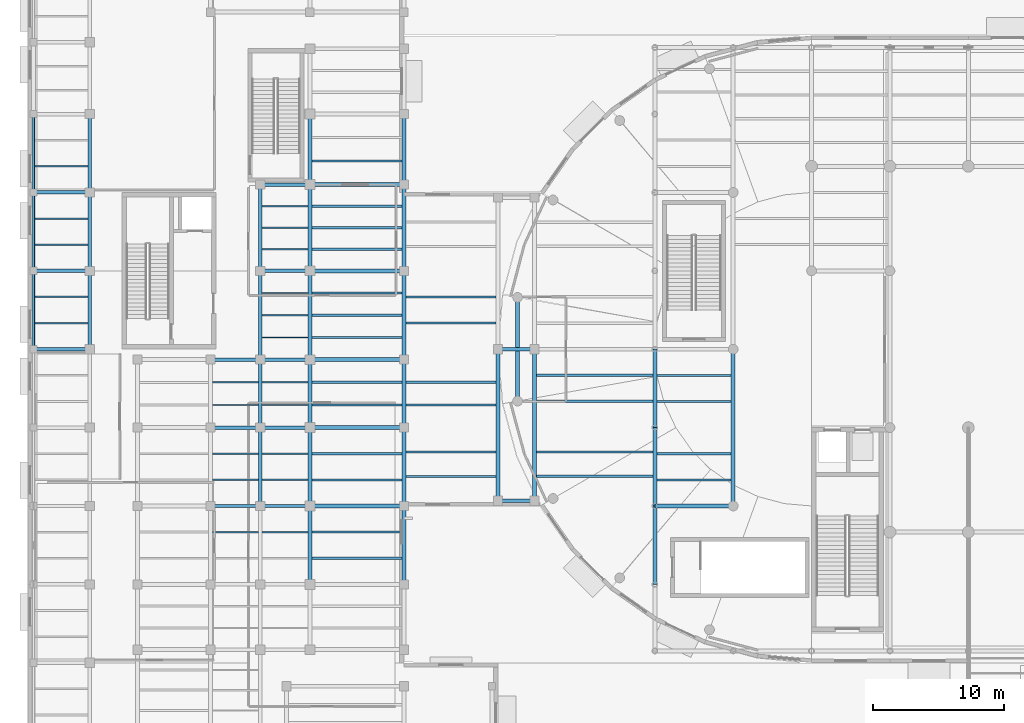
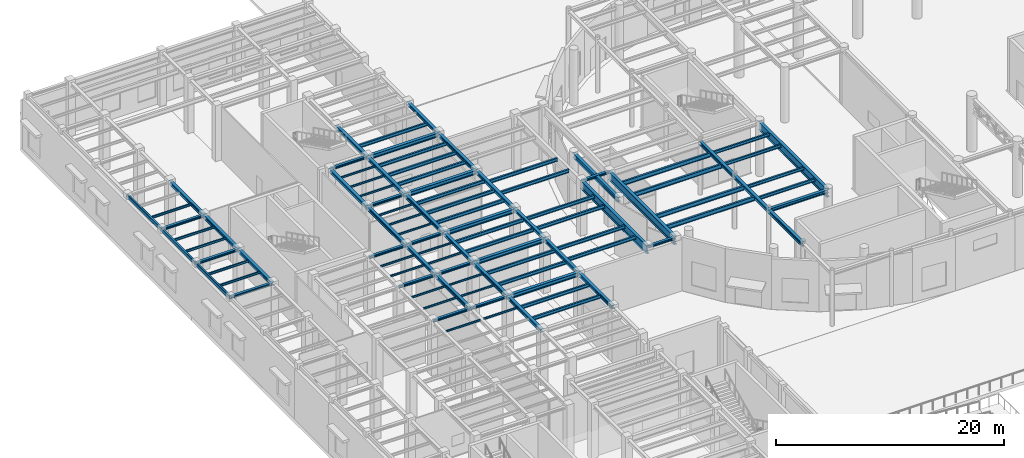
# One storey, part 20 of 118: 96 beams.
"""IFC4 building model written with IfcOpenShell, lengths in metres."""

from ifc_helpers import new_model, si_unit, direction, frame, origin, origin_2d, place, context, subcontext, project, spatial, hollow_rectangle, i_section, extrude, material, material_profile, profile_set, type_object, element, save


model = new_model("IFC4")

# Units and contexts
model_context = context("Model", 3, precision=1e-05, world=origin(), true_north=direction((0.0, 1.0)))
body_context = subcontext(model_context, "Body", "Model", "MODEL_VIEW")
ifc_project = project(units=[si_unit("LENGTHUNIT", "METRE"), si_unit("AREAUNIT", "SQUARE_METRE"), si_unit("VOLUMEUNIT", "CUBIC_METRE"), si_unit("PLANEANGLEUNIT", "RADIAN"), si_unit("MASSUNIT", "GRAM", prefix="KILO")], contexts=[model_context])

# Site, building, storey
site_placement = place(None, origin())
site = spatial("IfcSite", under=ifc_project, at=site_placement, CompositionType="ELEMENT")
building_placement = place(site_placement, origin())
building = spatial("IfcBuilding", under=site, at=building_placement, Name="Kolvaren Corner Interchange", CompositionType="ELEMENT")
storey_placement = place(building_placement, origin())
storey = spatial("IfcBuildingStorey", under=building, at=storey_placement, Name="L01", CompositionType="ELEMENT", Elevation=0.0)

# Beams
ifc_material_1 = material(Name="Steel S355", Category="steel")
ifc_material_profile_1 = material_profile(ifc_material_1, i_section(OverallWidth=0.260009765625, OverallDepth=0.25, WebThickness=0.007568359375, FlangeThickness=0.012451171875, FilletRadius=0.02392578125, at=origin_2d()), Name="HEA 260")
ifc_profile_set_1 = profile_set([ifc_material_profile_1], Name="Steel S355")
beam_type_1 = type_object("IfcBeamType", Name="BM-HEA260", PredefinedType="BEAM", material=ifc_profile_set_1)
for number, where, z_axis, x_axis, name in (
    (1, (14.0, 36.0, 5.625), (1.0, 0.0, 0.0), (0.0, 1.0, 0.0), "Storey L01 Grid X Primary Girder 0243"),
    (2, (17.800048828125, 36.0, 5.625), (1.0, 0.0, 0.0), (0.0, 1.0, 0.0), "Storey L01 Grid X Primary Girder 0244"),
):
    element("IfcBeam", number, at=place(storey_placement, frame(where, z_axis=z_axis, x_axis=x_axis)), inside=storey, type_object=beam_type_1, Name=name, PredefinedType="BEAM", context=body_context, shape_type="SweptSolid", body=[
        extrude(i_section(OverallWidth=0.260009765625, OverallDepth=0.25, WebThickness=0.007568359375, FlangeThickness=0.012451171875, FilletRadius=0.02392578125, at=origin_2d()), origin(), (0.0, 0.0, 1.0), 3.800048828125),
    ])
beam_1_placement = place(storey_placement, frame((36.0, 36.39990234375, 5.625), z_axis=(1.0, 0.0, 0.0), x_axis=(0.0, 1.0, 0.0)))
element("IfcBeam", 3, at=beam_1_placement, inside=storey, type_object=beam_type_1, Name="Storey L01 Grid X Primary Girder 0248", PredefinedType="BEAM", context=body_context, shape_type="SweptSolid", body=[
    extrude(i_section(OverallWidth=0.260009765625, OverallDepth=0.25, WebThickness=0.007568359375, FlangeThickness=0.012451171875, FilletRadius=0.02392578125, at=origin_2d()), origin(), (0.0, 0.0, 1.0), 2.800048828125),
])
for number, where, z_axis, x_axis, name in (
    (4, (14.0, 42.0, 5.625), (1.0, 0.0, 0.0), (0.0, 1.0, 0.0), "Storey L01 Grid X Primary Girder 0250"),
    (5, (17.800048828125, 42.0, 5.625), (1.0, 0.0, 0.0), (0.0, 1.0, 0.0), "Storey L01 Grid X Primary Girder 0251"),
    (6, (14.0, 47.199951171875, 5.625), (1.0, 0.0, 0.0), (0.0, 1.0, 0.0), "Storey L01 Grid X Primary Girder 0255"),
    (7, (17.800048828125, 47.199951171875, 5.625), (1.0, 0.0, 0.0), (0.0, 1.0, 0.0), "Storey L01 Grid X Primary Girder 0256"),
):
    element("IfcBeam", number, at=place(storey_placement, frame(where, z_axis=z_axis, x_axis=x_axis)), inside=storey, type_object=beam_type_1, Name=name, PredefinedType="BEAM", context=body_context, shape_type="SweptSolid", body=[
        extrude(i_section(OverallWidth=0.260009765625, OverallDepth=0.25, WebThickness=0.007568359375, FlangeThickness=0.012451171875, FilletRadius=0.02392578125, at=origin_2d()), origin(), (0.0, 0.0, 1.0), 3.800048828125),
    ])
beam_2_placement = place(storey_placement, frame((36.0, 48.0, 5.625), z_axis=(1.0, 0.0, 0.0), x_axis=(0.0, 1.0, 0.0)))
element("IfcBeam", 8, at=beam_2_placement, inside=storey, type_object=beam_type_1, Name="Storey L01 Grid X Primary Girder 0258", PredefinedType="BEAM", context=body_context, shape_type="SweptSolid", body=[
    extrude(i_section(OverallWidth=0.260009765625, OverallDepth=0.25, WebThickness=0.007568359375, FlangeThickness=0.012451171875, FilletRadius=0.02392578125, at=origin_2d()), origin(), (0.0, 0.0, 1.0), 2.800048828125),
])
for number, where, z_axis, x_axis, name in (
    (9, (17.800048828125, 54.0, 5.625), (1.0, 0.0, 0.0), (0.0, 1.0, 0.0), "Storey L01 Grid X Primary Girder 0262"),
    (10, (17.800048828125, 60.60009765625, 5.625), (1.0, 0.0, 0.0), (0.0, 1.0, 0.0), "Storey L01 Grid X Primary Girder 0268"),
):
    element("IfcBeam", number, at=place(storey_placement, frame(where, z_axis=z_axis, x_axis=x_axis)), inside=storey, type_object=beam_type_1, Name=name, PredefinedType="BEAM", context=body_context, shape_type="SweptSolid", body=[
        extrude(i_section(OverallWidth=0.260009765625, OverallDepth=0.25, WebThickness=0.007568359375, FlangeThickness=0.012451171875, FilletRadius=0.02392578125, at=origin_2d()), origin(), (0.0, 0.0, 1.0), 3.800048828125),
    ])
for number, where, z_axis, x_axis, name in (
    (11, (0.449951171875, 48.0, 5.625), (1.0, 0.0, 0.0), (0.0, 1.0, 0.0), "Storey L01 Grid X Primary Girder 0399"),
    (12, (0.449951171875, 54.0, 5.625), (1.0, 0.0, 0.0), (0.0, 1.0, 0.0), "Storey L01 Grid X Primary Girder 0400"),
    (13, (0.449951171875, 60.0, 5.625), (1.0, 0.0, 0.0), (0.0, 1.0, 0.0), "Storey L01 Grid X Primary Girder 0401"),
):
    element("IfcBeam", number, at=place(storey_placement, frame(where, z_axis=z_axis, x_axis=x_axis)), inside=storey, type_object=beam_type_1, Name=name, PredefinedType="BEAM", context=body_context, shape_type="SweptSolid", body=[
        extrude(i_section(OverallWidth=0.260009765625, OverallDepth=0.25, WebThickness=0.007568359375, FlangeThickness=0.012451171875, FilletRadius=0.02392578125, at=origin_2d()), origin(), (0.0, 0.0, 1.0), 4.300048828125),
    ])
ifc_material_2 = material(Name="Steel S355", Category="steel")
ifc_material_profile_2 = material_profile(ifc_material_2, i_section(OverallWidth=0.300048828125, OverallDepth=0.31005859375, WebThickness=0.009033203125, FlangeThickness=0.015380859375, FilletRadius=0.027099609375, at=origin_2d()), Name="HEA 320")
ifc_profile_set_2 = profile_set([ifc_material_profile_2], Name="Steel S355")
beam_type_2 = type_object("IfcBeamType", Name="BM-HEA320", PredefinedType="BEAM", material=ifc_profile_set_2)
for number, where, z_axis, x_axis, name in (
    (14, (17.800048828125, 42.0, 5.594970703125), (0.0, 1.0, 0.0), (-1.0, 0.0, 0.0), "Storey L01 Grid Y Primary Girder 0309"),
    (15, (21.60009765625, 42.0, 5.594970703125), (0.0, 1.0, 0.0), (-1.0, 0.0, 0.0), "Storey L01 Grid Y Primary Girder 0315"),
):
    element("IfcBeam", number, at=place(storey_placement, frame(where, z_axis=z_axis, x_axis=x_axis)), inside=storey, type_object=beam_type_2, Name=name, PredefinedType="BEAM", context=body_context, shape_type="SweptSolid", body=[
        extrude(i_section(OverallWidth=0.300048828125, OverallDepth=0.31005859375, WebThickness=0.009033203125, FlangeThickness=0.015380859375, FilletRadius=0.027099609375, at=origin_2d()), origin(), (0.0, 0.0, 1.0), 5.199951171875),
    ])
beam_3_placement = place(storey_placement, frame((21.60009765625, 60.60009765625, 5.594970703125), z_axis=(0.0, 1.0, 0.0), x_axis=(-1.0, 0.0, 0.0)))
element("IfcBeam", 16, at=beam_3_placement, inside=storey, type_object=beam_type_2, Name="Storey L01 Grid Y Primary Girder 0318", PredefinedType="BEAM", context=body_context, shape_type="SweptSolid", body=[
    extrude(i_section(OverallWidth=0.300048828125, OverallDepth=0.31005859375, WebThickness=0.009033203125, FlangeThickness=0.015380859375, FilletRadius=0.027099609375, at=origin_2d()), origin(), (0.0, 0.0, 1.0), 5.39990234375),
])
beam_4_placement = place(storey_placement, frame((28.800048828125, 42.0, 5.594970703125), z_axis=(0.0, 1.0, 0.0), x_axis=(-1.0, 0.0, 0.0)))
element("IfcBeam", 17, at=beam_4_placement, inside=storey, type_object=beam_type_2, Name="Storey L01 Grid Y Primary Girder 0323", PredefinedType="BEAM", context=body_context, shape_type="SweptSolid", body=[
    extrude(i_section(OverallWidth=0.300048828125, OverallDepth=0.31005859375, WebThickness=0.009033203125, FlangeThickness=0.015380859375, FilletRadius=0.027099609375, at=origin_2d()), origin(), (0.0, 0.0, 1.0), 5.199951171875),
])
beam_5_placement = place(storey_placement, frame((28.800048828125, 60.60009765625, 5.594970703125), z_axis=(0.0, 1.0, 0.0), x_axis=(-1.0, 0.0, 0.0)))
element("IfcBeam", 18, at=beam_5_placement, inside=storey, type_object=beam_type_2, Name="Storey L01 Grid Y Primary Girder 0326", PredefinedType="BEAM", context=body_context, shape_type="SweptSolid", body=[
    extrude(i_section(OverallWidth=0.300048828125, OverallDepth=0.31005859375, WebThickness=0.009033203125, FlangeThickness=0.015380859375, FilletRadius=0.027099609375, at=origin_2d()), origin(), (0.0, 0.0, 1.0), 5.39990234375),
])
ifc_material_3 = material(Name="Steel S355", Category="steel")
ifc_material_profile_3 = material_profile(ifc_material_3, i_section(OverallWidth=0.300048828125, OverallDepth=0.35009765625, WebThickness=0.010009765625, FlangeThickness=0.017578125, FilletRadius=0.027099609375, at=origin_2d()), Name="HEA 360")
ifc_profile_set_3 = profile_set([ifc_material_profile_3], Name="Steel S355")
beam_type_3 = type_object("IfcBeamType", Name="BM-HEA360", PredefinedType="BEAM", material=ifc_profile_set_3)
beam_6_placement = place(storey_placement, frame((48.0, 36.0, 5.574951171875), z_axis=(1.0, 0.0, 0.0), x_axis=(0.0, 1.0, 0.0)))
element("IfcBeam", 19, at=beam_6_placement, inside=storey, type_object=beam_type_3, Name="Storey L01 Grid X Primary Girder 0246", PredefinedType="BEAM", context=body_context, shape_type="SweptSolid", body=[
    extrude(i_section(OverallWidth=0.300048828125, OverallDepth=0.35009765625, WebThickness=0.010009765625, FlangeThickness=0.017578125, FilletRadius=0.027099609375, at=origin_2d()), origin(), (0.0, 0.0, 1.0), 6.0),
])
ifc_material_4 = material(Name="Steel S355", Category="steel")
ifc_material_profile_4 = material_profile(ifc_material_4, i_section(OverallWidth=0.300048828125, OverallDepth=0.389892578125, WebThickness=0.010986328125, FlangeThickness=0.01904296875, FilletRadius=0.027099609375, at=origin_2d()), Name="HEA 400")
ifc_profile_set_4 = profile_set([ifc_material_profile_4], Name="Steel S355")
beam_type_4 = type_object("IfcBeamType", Name="BM-HEA400", PredefinedType="BEAM", material=ifc_profile_set_4)
beam_7_placement = place(storey_placement, frame((17.800048828125, 36.0, 5.554931640625), z_axis=(0.0, 1.0, 0.0), x_axis=(-1.0, 0.0, 0.0)))
element("IfcBeam", 20, at=beam_7_placement, inside=storey, type_object=beam_type_4, Name="Storey L01 Grid Y Primary Girder 0308", PredefinedType="BEAM", context=body_context, shape_type="SweptSolid", body=[
    extrude(i_section(OverallWidth=0.300048828125, OverallDepth=0.389892578125, WebThickness=0.010986328125, FlangeThickness=0.01904296875, FilletRadius=0.027099609375, at=origin_2d()), origin(), (0.0, 0.0, 1.0), 6.0),
])
beam_8_placement = place(storey_placement, frame((17.800048828125, 47.199951171875, 5.554931640625), z_axis=(0.0, 1.0, 0.0), x_axis=(-1.0, 0.0, 0.0)))
element("IfcBeam", 21, at=beam_8_placement, inside=storey, type_object=beam_type_4, Name="Storey L01 Grid Y Primary Girder 0310", PredefinedType="BEAM", context=body_context, shape_type="SweptSolid", body=[
    extrude(i_section(OverallWidth=0.300048828125, OverallDepth=0.389892578125, WebThickness=0.010986328125, FlangeThickness=0.01904296875, FilletRadius=0.027099609375, at=origin_2d()), origin(), (0.0, 0.0, 1.0), 6.800048828125),
])
beam_9_placement = place(storey_placement, frame((17.800048828125, 54.0, 5.554931640625), z_axis=(0.0, 1.0, 0.0), x_axis=(-1.0, 0.0, 0.0)))
element("IfcBeam", 22, at=beam_9_placement, inside=storey, type_object=beam_type_4, Name="Storey L01 Grid Y Primary Girder 0311", PredefinedType="BEAM", context=body_context, shape_type="SweptSolid", body=[
    extrude(i_section(OverallWidth=0.300048828125, OverallDepth=0.389892578125, WebThickness=0.010986328125, FlangeThickness=0.01904296875, FilletRadius=0.027099609375, at=origin_2d()), origin(), (0.0, 0.0, 1.0), 6.60009765625),
])
for number, where, z_axis, x_axis, name in (
    (23, (21.60009765625, 30.0, 5.554931640625), (0.0, 1.0, 0.0), (-1.0, 0.0, 0.0), "Storey L01 Grid Y Primary Girder 0313"),
    (24, (21.60009765625, 36.0, 5.554931640625), (0.0, 1.0, 0.0), (-1.0, 0.0, 0.0), "Storey L01 Grid Y Primary Girder 0314"),
):
    element("IfcBeam", number, at=place(storey_placement, frame(where, z_axis=z_axis, x_axis=x_axis)), inside=storey, type_object=beam_type_4, Name=name, PredefinedType="BEAM", context=body_context, shape_type="SweptSolid", body=[
        extrude(i_section(OverallWidth=0.300048828125, OverallDepth=0.389892578125, WebThickness=0.010986328125, FlangeThickness=0.01904296875, FilletRadius=0.027099609375, at=origin_2d()), origin(), (0.0, 0.0, 1.0), 6.0),
    ])
beam_10_placement = place(storey_placement, frame((21.60009765625, 47.199951171875, 5.554931640625), z_axis=(0.0, 1.0, 0.0), x_axis=(-1.0, 0.0, 0.0)))
element("IfcBeam", 25, at=beam_10_placement, inside=storey, type_object=beam_type_4, Name="Storey L01 Grid Y Primary Girder 0316", PredefinedType="BEAM", context=body_context, shape_type="SweptSolid", body=[
    extrude(i_section(OverallWidth=0.300048828125, OverallDepth=0.389892578125, WebThickness=0.010986328125, FlangeThickness=0.01904296875, FilletRadius=0.027099609375, at=origin_2d()), origin(), (0.0, 0.0, 1.0), 6.800048828125),
])
beam_11_placement = place(storey_placement, frame((21.60009765625, 54.0, 5.554931640625), z_axis=(0.0, 1.0, 0.0), x_axis=(-1.0, 0.0, 0.0)))
element("IfcBeam", 26, at=beam_11_placement, inside=storey, type_object=beam_type_4, Name="Storey L01 Grid Y Primary Girder 0317", PredefinedType="BEAM", context=body_context, shape_type="SweptSolid", body=[
    extrude(i_section(OverallWidth=0.300048828125, OverallDepth=0.389892578125, WebThickness=0.010986328125, FlangeThickness=0.01904296875, FilletRadius=0.027099609375, at=origin_2d()), origin(), (0.0, 0.0, 1.0), 6.60009765625),
])
for number, where, z_axis, x_axis, name in (
    (27, (28.800048828125, 30.0, 5.554931640625), (0.0, 1.0, 0.0), (-1.0, 0.0, 0.0), "Storey L01 Grid Y Primary Girder 0321"),
    (28, (28.800048828125, 36.0, 5.554931640625), (0.0, 1.0, 0.0), (-1.0, 0.0, 0.0), "Storey L01 Grid Y Primary Girder 0322"),
):
    element("IfcBeam", number, at=place(storey_placement, frame(where, z_axis=z_axis, x_axis=x_axis)), inside=storey, type_object=beam_type_4, Name=name, PredefinedType="BEAM", context=body_context, shape_type="SweptSolid", body=[
        extrude(i_section(OverallWidth=0.300048828125, OverallDepth=0.389892578125, WebThickness=0.010986328125, FlangeThickness=0.01904296875, FilletRadius=0.027099609375, at=origin_2d()), origin(), (0.0, 0.0, 1.0), 6.0),
    ])
beam_12_placement = place(storey_placement, frame((28.800048828125, 47.199951171875, 5.554931640625), z_axis=(0.0, 1.0, 0.0), x_axis=(-1.0, 0.0, 0.0)))
element("IfcBeam", 29, at=beam_12_placement, inside=storey, type_object=beam_type_4, Name="Storey L01 Grid Y Primary Girder 0324", PredefinedType="BEAM", context=body_context, shape_type="SweptSolid", body=[
    extrude(i_section(OverallWidth=0.300048828125, OverallDepth=0.389892578125, WebThickness=0.010986328125, FlangeThickness=0.01904296875, FilletRadius=0.027099609375, at=origin_2d()), origin(), (0.0, 0.0, 1.0), 6.800048828125),
])
beam_13_placement = place(storey_placement, frame((28.800048828125, 54.0, 5.554931640625), z_axis=(0.0, 1.0, 0.0), x_axis=(-1.0, 0.0, 0.0)))
element("IfcBeam", 30, at=beam_13_placement, inside=storey, type_object=beam_type_4, Name="Storey L01 Grid Y Primary Girder 0325", PredefinedType="BEAM", context=body_context, shape_type="SweptSolid", body=[
    extrude(i_section(OverallWidth=0.300048828125, OverallDepth=0.389892578125, WebThickness=0.010986328125, FlangeThickness=0.01904296875, FilletRadius=0.027099609375, at=origin_2d()), origin(), (0.0, 0.0, 1.0), 6.60009765625),
])
for number, where, z_axis, x_axis, name in (
    (31, (48.0, 30.0, 5.554931640625), (0.0, 1.0, 0.0), (-1.0, 0.0, 0.0), "Storey L01 Grid Y Primary Girder 0334"),
    (32, (48.0, 36.0, 5.554931640625), (0.0, 1.0, 0.0), (-1.0, 0.0, 0.0), "Storey L01 Grid Y Primary Girder 0335"),
    (33, (48.0, 42.0, 5.554931640625), (0.0, 1.0, 0.0), (-1.0, 0.0, 0.0), "Storey L01 Grid Y Primary Girder 0336"),
    (34, (4.75, 48.0, 5.554931640625), (0.0, 1.0, 0.0), (-1.0, 0.0, 0.0), "Storey L01 Grid Y Primary Girder 0470"),
    (35, (4.75, 54.0, 5.554931640625), (0.0, 1.0, 0.0), (-1.0, 0.0, 0.0), "Storey L01 Grid Y Primary Girder 0471"),
    (36, (4.75, 60.0, 5.554931640625), (0.0, 1.0, 0.0), (-1.0, 0.0, 0.0), "Storey L01 Grid Y Primary Girder 0472"),
):
    element("IfcBeam", number, at=place(storey_placement, frame(where, z_axis=z_axis, x_axis=x_axis)), inside=storey, type_object=beam_type_4, Name=name, PredefinedType="BEAM", context=body_context, shape_type="SweptSolid", body=[
        extrude(i_section(OverallWidth=0.300048828125, OverallDepth=0.389892578125, WebThickness=0.010986328125, FlangeThickness=0.01904296875, FilletRadius=0.027099609375, at=origin_2d()), origin(), (0.0, 0.0, 1.0), 6.0),
    ])
ifc_material_5 = material(Name="Steel S355", Category="steel")
ifc_material_profile_5 = material_profile(ifc_material_5, i_section(OverallWidth=0.300048828125, OverallDepth=0.43994140625, WebThickness=0.011474609375, FlangeThickness=0.02099609375, FilletRadius=0.027099609375, at=origin_2d()), Name="HEA 450")
ifc_profile_set_5 = profile_set([ifc_material_profile_5], Name="Steel S355")
beam_type_5 = type_object("IfcBeamType", Name="BM-HEA450", PredefinedType="BEAM", material=ifc_profile_set_5)
for number, where, z_axis, x_axis, name in (
    (37, (21.60009765625, 36.0, 5.530029296875), (1.0, 0.0, 0.0), (0.0, 1.0, 0.0), "Storey L01 Grid X Primary Girder 0245"),
    (38, (21.60009765625, 42.0, 5.530029296875), (1.0, 0.0, 0.0), (0.0, 1.0, 0.0), "Storey L01 Grid X Primary Girder 0252"),
    (39, (21.60009765625, 47.199951171875, 5.530029296875), (1.0, 0.0, 0.0), (0.0, 1.0, 0.0), "Storey L01 Grid X Primary Girder 0257"),
    (40, (21.60009765625, 54.0, 5.530029296875), (1.0, 0.0, 0.0), (0.0, 1.0, 0.0), "Storey L01 Grid X Primary Girder 0263"),
    (41, (21.60009765625, 60.60009765625, 5.530029296875), (1.0, 0.0, 0.0), (0.0, 1.0, 0.0), "Storey L01 Grid X Primary Girder 0269"),
):
    element("IfcBeam", number, at=place(storey_placement, frame(where, z_axis=z_axis, x_axis=x_axis)), inside=storey, type_object=beam_type_5, Name=name, PredefinedType="BEAM", context=body_context, shape_type="SweptSolid", body=[
        extrude(i_section(OverallWidth=0.300048828125, OverallDepth=0.43994140625, WebThickness=0.011474609375, FlangeThickness=0.02099609375, FilletRadius=0.027099609375, at=origin_2d()), origin(), (0.0, 0.0, 1.0), 7.199951171875),
    ])
ifc_material_6 = material(Name="Steel S355", Category="steel")
ifc_material_profile_6 = material_profile(ifc_material_6, i_section(OverallWidth=0.300048828125, OverallDepth=0.489990234375, WebThickness=0.011962890625, FlangeThickness=0.02294921875, FilletRadius=0.027099609375, at=origin_2d()), Name="HEA 500")
ifc_profile_set_6 = profile_set([ifc_material_profile_6], Name="Steel S355")
beam_type_6 = type_object("IfcBeamType", Name="BM-HEA500", PredefinedType="BEAM", material=ifc_profile_set_6)
beam_14_placement = place(storey_placement, frame((37.4970703125, 44.031982421875, 5.5048828125), z_axis=(0.0, 1.0, 0.0), x_axis=(-1.0, 0.0, 0.0)))
element("IfcBeam", 42, at=beam_14_placement, inside=storey, type_object=beam_type_6, Name="Storey L01 Grid Y Primary Girder 0330", PredefinedType="BEAM", context=body_context, shape_type="SweptSolid", body=[
    extrude(i_section(OverallWidth=0.300048828125, OverallDepth=0.489990234375, WebThickness=0.011962890625, FlangeThickness=0.02294921875, FilletRadius=0.027099609375, at=origin_2d()), origin(), (0.0, 0.0, 1.0), 7.93603515625),
])
ifc_material_7 = material(Name="Steel S355", Category="steel")
ifc_material_profile_7 = material_profile(ifc_material_7, i_section(OverallWidth=0.300048828125, OverallDepth=0.89990234375, WebThickness=0.0185546875, FlangeThickness=0.034912109375, FilletRadius=0.030029296875, at=origin_2d()), Name="HEB 900")
ifc_profile_set_7 = profile_set([ifc_material_profile_7], Name="Steel S355")
beam_type_7 = type_object("IfcBeamType", Name="BM-HEB900", PredefinedType="BEAM", material=ifc_profile_set_7)
for number, where, z_axis, x_axis, name in (
    (43, (36.0, 36.39990234375, 5.300048828125), (0.0, 1.0, 0.0), (-1.0, 0.0, 0.0), "Storey L01 Grid Y Primary Girder 0328"),
    (44, (38.800048828125, 36.39990234375, 5.300048828125), (0.0, 1.0, 0.0), (-1.0, 0.0, 0.0), "Storey L01 Grid Y Primary Girder 0331"),
):
    element("IfcBeam", number, at=place(storey_placement, frame(where, z_axis=z_axis, x_axis=x_axis)), inside=storey, type_object=beam_type_7, Name=name, PredefinedType="BEAM", context=body_context, shape_type="SweptSolid", body=[
        extrude(i_section(OverallWidth=0.300048828125, OverallDepth=0.89990234375, WebThickness=0.0185546875, FlangeThickness=0.034912109375, FilletRadius=0.030029296875, at=origin_2d()), origin(), (0.0, 0.0, 1.0), 11.60009765625),
    ])
beam_15_placement = place(storey_placement, frame((54.0, 36.0, 5.300048828125), z_axis=(0.0, 1.0, 0.0), x_axis=(-1.0, 0.0, 0.0)))
element("IfcBeam", 45, at=beam_15_placement, inside=storey, type_object=beam_type_7, Name="Storey L01 Grid Y Primary Girder 0341", PredefinedType="BEAM", context=body_context, shape_type="SweptSolid", body=[
    extrude(i_section(OverallWidth=0.300048828125, OverallDepth=0.89990234375, WebThickness=0.0185546875, FlangeThickness=0.034912109375, FilletRadius=0.030029296875, at=origin_2d()), origin(), (0.0, 0.0, 1.0), 12.0),
])
ifc_material_8 = material(Name="Steel S355", Category="steel")
ifc_material_profile_8 = material_profile(ifc_material_8, i_section(OverallWidth=0.10009765625, OverallDepth=0.199951171875, WebThickness=0.005615234375, FlangeThickness=0.008544921875, FilletRadius=0.011962890625, at=origin_2d()), Name="IPE 200")
ifc_profile_set_8 = profile_set([ifc_material_profile_8], Name="Steel S355")
beam_type_8 = type_object("IfcBeamType", Name="JS-IPE200", PredefinedType="JOIST", material=ifc_profile_set_8)
for number, where, z_axis, x_axis, name in (
    (46, (14.14990234375, 34.0, 5.64990234375), (1.0, 0.0, 0.0), (0.0, 1.0, 0.0), "Storey L01 Composite Floor Joist 0255"),
    (47, (14.14990234375, 38.0, 5.64990234375), (1.0, 0.0, 0.0), (0.0, 1.0, 0.0), "Storey L01 Composite Floor Joist 0256"),
    (48, (14.14990234375, 40.0, 5.64990234375), (1.0, 0.0, 0.0), (0.0, 1.0, 0.0), "Storey L01 Composite Floor Joist 0257"),
    (49, (14.14990234375, 43.7333984375, 5.64990234375), (1.0, 0.0, 0.0), (0.0, 1.0, 0.0), "Storey L01 Composite Floor Joist 0258"),
    (50, (14.14990234375, 45.466796875, 5.64990234375), (1.0, 0.0, 0.0), (0.0, 1.0, 0.0), "Storey L01 Composite Floor Joist 0259"),
    (51, (17.949951171875, 34.0, 5.64990234375), (1.0, 0.0, 0.0), (0.0, 1.0, 0.0), "Storey L01 Composite Floor Joist 0263"),
    (52, (17.949951171875, 38.0, 5.64990234375), (1.0, 0.0, 0.0), (0.0, 1.0, 0.0), "Storey L01 Composite Floor Joist 0264"),
    (53, (17.949951171875, 40.0, 5.64990234375), (1.0, 0.0, 0.0), (0.0, 1.0, 0.0), "Storey L01 Composite Floor Joist 0265"),
    (54, (17.949951171875, 43.7333984375, 5.64990234375), (1.0, 0.0, 0.0), (0.0, 1.0, 0.0), "Storey L01 Composite Floor Joist 0266"),
    (55, (17.949951171875, 45.466796875, 5.64990234375), (1.0, 0.0, 0.0), (0.0, 1.0, 0.0), "Storey L01 Composite Floor Joist 0267"),
    (56, (17.949951171875, 48.89990234375, 5.64990234375), (1.0, 0.0, 0.0), (0.0, 1.0, 0.0), "Storey L01 Composite Floor Joist 0268"),
    (57, (17.949951171875, 50.60009765625, 5.64990234375), (1.0, 0.0, 0.0), (0.0, 1.0, 0.0), "Storey L01 Composite Floor Joist 0269"),
    (58, (17.949951171875, 52.300048828125, 5.64990234375), (1.0, 0.0, 0.0), (0.0, 1.0, 0.0), "Storey L01 Composite Floor Joist 0270"),
    (59, (17.949951171875, 55.64990234375, 5.64990234375), (1.0, 0.0, 0.0), (0.0, 1.0, 0.0), "Storey L01 Composite Floor Joist 0271"),
    (60, (17.949951171875, 57.300048828125, 5.64990234375), (1.0, 0.0, 0.0), (0.0, 1.0, 0.0), "Storey L01 Composite Floor Joist 0272"),
    (61, (17.949951171875, 58.949951171875, 5.64990234375), (1.0, 0.0, 0.0), (0.0, 1.0, 0.0), "Storey L01 Composite Floor Joist 0273"),
):
    element("IfcBeam", number, at=place(storey_placement, frame(where, z_axis=z_axis, x_axis=x_axis)), inside=storey, type_object=beam_type_8, Name=name, PredefinedType="JOIST", context=body_context, shape_type="SweptSolid", body=[
        extrude(i_section(OverallWidth=0.10009765625, OverallDepth=0.199951171875, WebThickness=0.005615234375, FlangeThickness=0.008544921875, FilletRadius=0.011962890625, at=origin_2d()), origin(), (0.0, 0.0, 1.0), 3.5),
    ])
ifc_material_9 = material(Name="Steel S355", Category="steel")
ifc_material_profile_9 = material_profile(ifc_material_9, i_section(OverallWidth=0.1201171875, OverallDepth=0.239990234375, WebThickness=0.006103515625, FlangeThickness=0.009765625, FilletRadius=0.014892578125, at=origin_2d()), Name="IPE 240")
ifc_profile_set_9 = profile_set([ifc_material_profile_9], Name="Steel S355")
beam_type_9 = type_object("IfcBeamType", Name="JS-IPE240", PredefinedType="JOIST", material=ifc_profile_set_9)
for number, where, z_axis, x_axis, name in (
    (62, (0.550048828125, 50.0, 5.6298828125), (1.0, 0.0, 0.0), (0.0, 1.0, 0.0), "Storey L01 Composite Floor Joist 0404"),
    (63, (0.550048828125, 52.0, 5.6298828125), (1.0, 0.0, 0.0), (0.0, 1.0, 0.0), "Storey L01 Composite Floor Joist 0405"),
    (64, (0.550048828125, 56.0, 5.6298828125), (1.0, 0.0, 0.0), (0.0, 1.0, 0.0), "Storey L01 Composite Floor Joist 0406"),
    (65, (0.550048828125, 58.0, 5.6298828125), (1.0, 0.0, 0.0), (0.0, 1.0, 0.0), "Storey L01 Composite Floor Joist 0407"),
    (66, (0.550048828125, 62.0, 5.6298828125), (1.0, 0.0, 0.0), (0.0, 1.0, 0.0), "Storey L01 Composite Floor Joist 0408"),
):
    element("IfcBeam", number, at=place(storey_placement, frame(where, z_axis=z_axis, x_axis=x_axis)), inside=storey, type_object=beam_type_9, Name=name, PredefinedType="JOIST", context=body_context, shape_type="SweptSolid", body=[
        extrude(i_section(OverallWidth=0.1201171875, OverallDepth=0.239990234375, WebThickness=0.006103515625, FlangeThickness=0.009765625, FilletRadius=0.014892578125, at=origin_2d()), origin(), (0.0, 0.0, 1.0), 4.050048828125),
    ])
ifc_material_10 = material(Name="Steel S355", Category="steel")
ifc_material_profile_10 = material_profile(ifc_material_10, i_section(OverallWidth=0.159912109375, OverallDepth=0.330078125, WebThickness=0.007568359375, FlangeThickness=0.011474609375, FilletRadius=0.01806640625, at=origin_2d()), Name="IPE 330")
ifc_profile_set_10 = profile_set([ifc_material_profile_10], Name="Steel S355")
beam_type_10 = type_object("IfcBeamType", Name="JS-IPE330", PredefinedType="JOIST", material=ifc_profile_set_10)
for number, where, z_axis, x_axis, name in (
    (67, (48.14990234375, 38.0, 5.5849609375), (1.0, 0.0, 0.0), (0.0, 1.0, 0.0), "Storey L01 Composite Floor Joist 0308"),
    (68, (48.14990234375, 40.0, 5.5849609375), (1.0, 0.0, 0.0), (0.0, 1.0, 0.0), "Storey L01 Composite Floor Joist 0309"),
    (69, (48.14990234375, 44.0, 5.5849609375), (1.0, 0.0, 0.0), (0.0, 1.0, 0.0), "Storey L01 Composite Floor Joist 0310"),
    (70, (48.14990234375, 46.0, 5.5849609375), (1.0, 0.0, 0.0), (0.0, 1.0, 0.0), "Storey L01 Composite Floor Joist 0311"),
):
    element("IfcBeam", number, at=place(storey_placement, frame(where, z_axis=z_axis, x_axis=x_axis)), inside=storey, type_object=beam_type_10, Name=name, PredefinedType="JOIST", context=body_context, shape_type="SweptSolid", body=[
        extrude(i_section(OverallWidth=0.159912109375, OverallDepth=0.330078125, WebThickness=0.007568359375, FlangeThickness=0.011474609375, FilletRadius=0.01806640625, at=origin_2d()), origin(), (0.0, 0.0, 1.0), 5.7001953125),
    ])
ifc_material_11 = material(Name="Steel S355", Category="steel")
ifc_material_profile_11 = material_profile(ifc_material_11, i_section(OverallWidth=0.169921875, OverallDepth=0.360107421875, WebThickness=0.008056640625, FlangeThickness=0.0126953125, FilletRadius=0.01806640625, at=origin_2d()), Name="IPE 360")
ifc_profile_set_11 = profile_set([ifc_material_profile_11], Name="Steel S355")
beam_type_11 = type_object("IfcBeamType", Name="JS-IPE360", PredefinedType="JOIST", material=ifc_profile_set_11)
for number, where, z_axis, x_axis, name in (
    (71, (21.75, 32.0, 5.570068359375), (1.0, 0.0, 0.0), (0.0, 1.0, 0.0), "Storey L01 Composite Floor Joist 0276"),
    (72, (21.75, 34.0, 5.570068359375), (1.0, 0.0, 0.0), (0.0, 1.0, 0.0), "Storey L01 Composite Floor Joist 0277"),
    (73, (21.75, 38.0, 5.570068359375), (1.0, 0.0, 0.0), (0.0, 1.0, 0.0), "Storey L01 Composite Floor Joist 0278"),
    (74, (21.75, 40.0, 5.570068359375), (1.0, 0.0, 0.0), (0.0, 1.0, 0.0), "Storey L01 Composite Floor Joist 0279"),
    (75, (21.75, 43.7333984375, 5.570068359375), (1.0, 0.0, 0.0), (0.0, 1.0, 0.0), "Storey L01 Composite Floor Joist 0280"),
    (76, (21.75, 45.466796875, 5.570068359375), (1.0, 0.0, 0.0), (0.0, 1.0, 0.0), "Storey L01 Composite Floor Joist 0281"),
    (77, (21.75, 48.89990234375, 5.570068359375), (1.0, 0.0, 0.0), (0.0, 1.0, 0.0), "Storey L01 Composite Floor Joist 0282"),
    (78, (21.75, 50.60009765625, 5.570068359375), (1.0, 0.0, 0.0), (0.0, 1.0, 0.0), "Storey L01 Composite Floor Joist 0283"),
    (79, (21.75, 52.300048828125, 5.570068359375), (1.0, 0.0, 0.0), (0.0, 1.0, 0.0), "Storey L01 Composite Floor Joist 0284"),
    (80, (21.75, 55.64990234375, 5.570068359375), (1.0, 0.0, 0.0), (0.0, 1.0, 0.0), "Storey L01 Composite Floor Joist 0285"),
    (81, (21.75, 57.300048828125, 5.570068359375), (1.0, 0.0, 0.0), (0.0, 1.0, 0.0), "Storey L01 Composite Floor Joist 0286"),
    (82, (21.75, 58.949951171875, 5.570068359375), (1.0, 0.0, 0.0), (0.0, 1.0, 0.0), "Storey L01 Composite Floor Joist 0287"),
    (83, (21.75, 62.39990234375, 5.570068359375), (1.0, 0.0, 0.0), (0.0, 1.0, 0.0), "Storey L01 Composite Floor Joist 0288"),
):
    element("IfcBeam", number, at=place(storey_placement, frame(where, z_axis=z_axis, x_axis=x_axis)), inside=storey, type_object=beam_type_11, Name=name, PredefinedType="JOIST", context=body_context, shape_type="SweptSolid", body=[
        extrude(i_section(OverallWidth=0.169921875, OverallDepth=0.360107421875, WebThickness=0.008056640625, FlangeThickness=0.0126953125, FilletRadius=0.01806640625, at=origin_2d()), origin(), (0.0, 0.0, 1.0), 6.89990234375),
    ])
for number, where, z_axis, x_axis, name in (
    (84, (28.949951171875, 38.2666015625, 5.570068359375), (1.0, 0.0, 0.0), (0.0, 1.0, 0.0), "Storey L01 Composite Floor Joist 0292"),
    (85, (28.949951171875, 40.13330078125, 5.570068359375), (1.0, 0.0, 0.0), (0.0, 1.0, 0.0), "Storey L01 Composite Floor Joist 0293"),
    (86, (28.949951171875, 43.7333984375, 5.570068359375), (1.0, 0.0, 0.0), (0.0, 1.0, 0.0), "Storey L01 Composite Floor Joist 0294"),
    (87, (28.949951171875, 45.466796875, 5.570068359375), (1.0, 0.0, 0.0), (0.0, 1.0, 0.0), "Storey L01 Composite Floor Joist 0295"),
    (88, (28.949951171875, 50.0, 5.570068359375), (1.0, 0.0, 0.0), (0.0, 1.0, 0.0), "Storey L01 Composite Floor Joist 0296"),
    (89, (28.949951171875, 52.0, 5.570068359375), (1.0, 0.0, 0.0), (0.0, 1.0, 0.0), "Storey L01 Composite Floor Joist 0297"),
):
    element("IfcBeam", number, at=place(storey_placement, frame(where, z_axis=z_axis, x_axis=x_axis)), inside=storey, type_object=beam_type_11, Name=name, PredefinedType="JOIST", context=body_context, shape_type="SweptSolid", body=[
        extrude(i_section(OverallWidth=0.169921875, OverallDepth=0.360107421875, WebThickness=0.008056640625, FlangeThickness=0.0126953125, FilletRadius=0.01806640625, at=origin_2d()), origin(), (0.0, 0.0, 1.0), 6.900146484375),
    ])
ifc_material_12 = material(Name="Steel S355", Category="steel")
ifc_material_profile_12 = material_profile(ifc_material_12, i_section(OverallWidth=0.18994140625, OverallDepth=0.449951171875, WebThickness=0.009521484375, FlangeThickness=0.0146484375, FilletRadius=0.02099609375, at=origin_2d()), Name="IPE 450")
ifc_profile_set_12 = profile_set([ifc_material_profile_12], Name="Steel S355")
beam_type_12 = type_object("IfcBeamType", Name="JS-IPE450", PredefinedType="JOIST", material=ifc_profile_set_12)
for number, where, z_axis, x_axis, name in (
    (90, (38.949951171875, 38.2666015625, 5.52490234375), (1.0, 0.0, 0.0), (0.0, 1.0, 0.0), "Storey L01 Composite Floor Joist 0300"),
    (91, (38.949951171875, 40.13330078125, 5.52490234375), (1.0, 0.0, 0.0), (0.0, 1.0, 0.0), "Storey L01 Composite Floor Joist 0301"),
    (92, (38.949951171875, 44.0, 5.52490234375), (1.0, 0.0, 0.0), (0.0, 1.0, 0.0), "Storey L01 Composite Floor Joist 0302"),
    (93, (38.949951171875, 46.0, 5.52490234375), (1.0, 0.0, 0.0), (0.0, 1.0, 0.0), "Storey L01 Composite Floor Joist 0303"),
):
    element("IfcBeam", number, at=place(storey_placement, frame(where, z_axis=z_axis, x_axis=x_axis)), inside=storey, type_object=beam_type_12, Name=name, PredefinedType="JOIST", context=body_context, shape_type="SweptSolid", body=[
        extrude(i_section(OverallWidth=0.18994140625, OverallDepth=0.449951171875, WebThickness=0.009521484375, FlangeThickness=0.0146484375, FilletRadius=0.02099609375, at=origin_2d()), origin(), (0.0, 0.0, 1.0), 8.900146484375),
    ])
ifc_material_13 = material(Name="Steel S355", Category="steel")
ifc_material_profile_13 = material_profile(ifc_material_13, hollow_rectangle(XDim=0.199951171875, YDim=0.35009765625, WallThickness=0.012451171875, InnerFilletRadius=0.012451171875, OuterFilletRadius=0.02490234375, at=origin_2d()), Name="RHS 350x200x12.5")
ifc_profile_set_13 = profile_set([ifc_material_profile_13], Name="Steel S355")
beam_type_13 = type_object("IfcBeamType", Name="SP-RHS350", PredefinedType="SPANDREL", material=ifc_profile_set_13)
for number, where, z_axis, x_axis, name in (
    (94, (0.449951171875, 48.0, 5.574951171875), (0.0, 1.0, 0.0), (-1.0, 0.0, 0.0), "Storey L01 Grid Y Primary Girder 0456"),
    (95, (0.449951171875, 54.0, 5.574951171875), (0.0, 1.0, 0.0), (-1.0, 0.0, 0.0), "Storey L01 Grid Y Primary Girder 0457"),
    (96, (0.449951171875, 60.0, 5.574951171875), (0.0, 1.0, 0.0), (-1.0, 0.0, 0.0), "Storey L01 Grid Y Primary Girder 0458"),
):
    element("IfcBeam", number, at=place(storey_placement, frame(where, z_axis=z_axis, x_axis=x_axis)), inside=storey, type_object=beam_type_13, Name=name, PredefinedType="SPANDREL", context=body_context, shape_type="SweptSolid", body=[
        extrude(hollow_rectangle(XDim=0.199951171875, YDim=0.35009765625, WallThickness=0.012451171875, InnerFilletRadius=0.012451171875, OuterFilletRadius=0.02490234375, at=origin_2d()), origin(), (0.0, 0.0, 1.0), 6.0),
    ])

save(model, "model.ifc")
